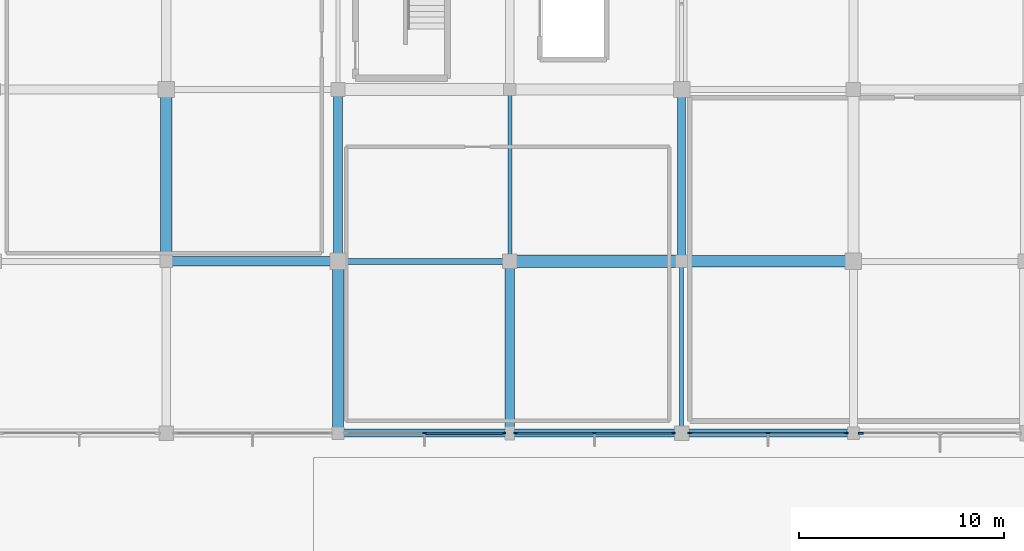
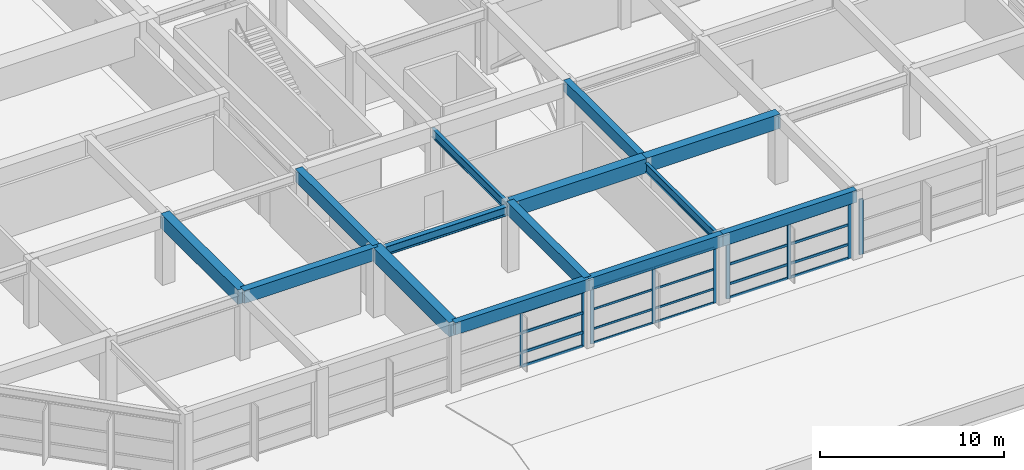
# One storey, part 9 of 60: 29 members, 14 beams, 4 elements without a shape of their own.
"""IFC4 building model written with IfcOpenShell, lengths in metres."""

from ifc_helpers import new_model, si_unit, direction, frame, origin, origin_2d, place, context, subcontext, project, spatial, rectangle, i_section, extrude, material, material_profile, profile_set, type_object, element, aggregate, save


model = new_model("IFC4")

# Units and contexts
model_context = context("Model", 3, precision=1e-05, world=origin(), true_north=direction((0.0, 1.0)))
body_context = subcontext(model_context, "Body", "Model", "MODEL_VIEW")
ifc_project = project(units=[si_unit("LENGTHUNIT", "METRE"), si_unit("AREAUNIT", "SQUARE_METRE"), si_unit("VOLUMEUNIT", "CUBIC_METRE"), si_unit("PLANEANGLEUNIT", "RADIAN"), si_unit("MASSUNIT", "GRAM", prefix="KILO")], contexts=[model_context])

# Site, building, storey
site_placement = place(None, origin())
site = spatial("IfcSite", under=ifc_project, at=site_placement, CompositionType="ELEMENT")
building_placement = place(site_placement, origin())
building = spatial("IfcBuilding", under=site, at=building_placement, Name="Xuanlan Plaza Opera House", CompositionType="ELEMENT")
storey_placement = place(building_placement, frame((0.0, 0.0, 9.89990234375)))
storey = spatial("IfcBuildingStorey", under=building, at=storey_placement, Name="L02", CompositionType="ELEMENT", Elevation=9.89990234375)

# Curtain wall, members
ifc_material_1 = material(Name="Anodised Aluminium 6063-T6 and Low-E Glass", Category="aluminium")
curtain_wall_type_1 = type_object("IfcCurtainWallType", Name="ENV-CW-CW-03", PredefinedType="USERDEFINED", material=ifc_material_1)
curtain_wall_1_placement = place(storey_placement, origin())
curtain_wall_1 = element("IfcCurtainWall", 1, at=curtain_wall_1_placement, inside=storey, type_object=curtain_wall_type_1, Name="Unitised Curtain Wall L02-003", ObjectType="UNITISED CURTAIN WALL", PredefinedType="USERDEFINED")
ifc_material_2 = material(Name="Anodised Aluminium 6063-T6", Category="aluminium")
ifc_material_profile_1 = material_profile(ifc_material_2, rectangle(XDim=0.070068359375, YDim=0.179931640625, at=origin_2d()), Name="ALU-M 70x180")
ifc_profile_set_1 = profile_set([ifc_material_profile_1], Name="Anodised Aluminium 6063-T6")
member_type_1 = type_object("IfcMemberType", Name="ENV-CWM-02", PredefinedType="MULLION", material=ifc_profile_set_1)
member_1_placement = place(storey_placement, frame((29.4375, 16.800048828125, 0.0), z_axis=(0.0, 0.0, 1.0), x_axis=(0.0, 1.0, 0.0)))
member_1 = element("IfcMember", 2, at=member_1_placement, type_object=member_type_1, Name="CW-03 mullion 2", PredefinedType="MULLION", context=body_context, shape_type="SweptSolid", body=[
    extrude(rectangle(XDim=0.070068359375, YDim=0.179931640625, at=origin_2d()), origin(), (0.0, 0.0, 1.0), 3.68017578125),
])
member_2_placement = place(storey_placement, frame((33.320068359375, 16.800048828125, 0.0), z_axis=(0.0, 0.0, 1.0), x_axis=(0.0, 1.0, 0.0)))
member_2 = element("IfcMember", 3, at=member_2_placement, type_object=member_type_1, Name="CW-03 mullion 3", PredefinedType="MULLION", context=body_context, shape_type="SweptSolid", body=[
    extrude(rectangle(XDim=0.070068359375, YDim=0.179931640625, at=origin_2d()), origin(), (0.0, 0.0, 1.0), 3.68017578125),
])

curtain_wall_type_2 = type_object("IfcCurtainWallType", Name="ENV-CW-CW-04", PredefinedType="USERDEFINED", material=ifc_material_1)
curtain_wall_2_placement = place(storey_placement, origin())
curtain_wall_2 = element("IfcCurtainWall", 4, at=curtain_wall_2_placement, inside=storey, type_object=curtain_wall_type_2, Name="Unitised Curtain Wall L02-004", ObjectType="UNITISED CURTAIN WALL", PredefinedType="USERDEFINED")
ifc_material_profile_2 = material_profile(ifc_material_2, rectangle(XDim=0.074951171875, YDim=0.199951171875, at=origin_2d()), Name="ALU-M 75x200")
ifc_profile_set_2 = profile_set([ifc_material_profile_2], Name="Anodised Aluminium 6063-T6")
member_type_2 = type_object("IfcMemberType", Name="ENV-CWM-03", PredefinedType="MULLION", material=ifc_profile_set_2)
member_3_placement = place(storey_placement, frame((33.882568359375, 16.800048828125, 0.0), z_axis=(0.0, 0.0, 1.0), x_axis=(0.0, 1.0, 0.0)))
member_3 = element("IfcMember", 5, at=member_3_placement, type_object=member_type_2, Name="CW-04 mullion 1", PredefinedType="MULLION", context=body_context, shape_type="SweptSolid", body=[
    extrude(rectangle(XDim=0.074951171875, YDim=0.199951171875, at=origin_2d()), origin(), (0.0, 0.0, 1.0), 3.68017578125),
])
member_4_placement = place(storey_placement, frame((37.737548828125, 16.800048828125, 0.0), z_axis=(0.0, 0.0, 1.0), x_axis=(0.0, 1.0, 0.0)))
member_4 = element("IfcMember", 6, at=member_4_placement, type_object=member_type_2, Name="CW-04 mullion 2", PredefinedType="MULLION", context=body_context, shape_type="SweptSolid", body=[
    extrude(rectangle(XDim=0.074951171875, YDim=0.199951171875, at=origin_2d()), origin(), (0.0, 0.0, 1.0), 3.68017578125),
])
member_5_placement = place(storey_placement, frame((41.592529296875, 16.800048828125, 0.0), z_axis=(0.0, 0.0, 1.0), x_axis=(0.0, 1.0, 0.0)))
member_5 = element("IfcMember", 7, at=member_5_placement, type_object=member_type_2, Name="CW-04 mullion 3", PredefinedType="MULLION", context=body_context, shape_type="SweptSolid", body=[
    extrude(rectangle(XDim=0.074951171875, YDim=0.199951171875, at=origin_2d()), origin(), (0.0, 0.0, 1.0), 3.68017578125),
])

curtain_wall_type_3 = type_object("IfcCurtainWallType", Name="ENV-CW-CW-01", PredefinedType="USERDEFINED", material=ifc_material_1)
curtain_wall_3_placement = place(storey_placement, origin())
curtain_wall_3 = element("IfcCurtainWall", 8, at=curtain_wall_3_placement, inside=storey, type_object=curtain_wall_type_3, Name="Unitised Curtain Wall L02-005", ObjectType="UNITISED CURTAIN WALL", PredefinedType="USERDEFINED")
ifc_material_profile_3 = material_profile(ifc_material_2, rectangle(XDim=0.080078125, YDim=0.219970703125, at=origin_2d()), Name="ALU-M 80x220")
ifc_profile_set_3 = profile_set([ifc_material_profile_3], Name="Anodised Aluminium 6063-T6")
member_type_3 = type_object("IfcMemberType", Name="ENV-CWM-04", PredefinedType="MULLION", material=ifc_profile_set_3)
member_6_placement = place(storey_placement, frame((42.409912109375, 16.800048828125, 0.0), z_axis=(0.0, 0.0, 1.0), x_axis=(0.0, 1.0, 0.0)))
member_6 = element("IfcMember", 9, at=member_6_placement, type_object=member_type_3, Name="CW-01 mullion 1", PredefinedType="MULLION", context=body_context, shape_type="SweptSolid", body=[
    extrude(rectangle(XDim=0.080078125, YDim=0.219970703125, at=origin_2d()), origin(), (0.0, 0.0, 1.0), 3.68017578125),
])
member_7_placement = place(storey_placement, frame((46.22509765625, 16.800048828125, 0.0), z_axis=(0.0, 0.0, 1.0), x_axis=(0.0, 1.0, 0.0)))
member_7 = element("IfcMember", 10, at=member_7_placement, type_object=member_type_3, Name="CW-01 mullion 2", PredefinedType="MULLION", context=body_context, shape_type="SweptSolid", body=[
    extrude(rectangle(XDim=0.080078125, YDim=0.219970703125, at=origin_2d()), origin(), (0.0, 0.0, 1.0), 3.68017578125),
])
member_8_placement = place(storey_placement, frame((50.0400390625, 16.800048828125, 0.0), z_axis=(0.0, 0.0, 1.0), x_axis=(0.0, 1.0, 0.0)))
member_8 = element("IfcMember", 11, at=member_8_placement, type_object=member_type_3, Name="CW-01 mullion 3", PredefinedType="MULLION", context=body_context, shape_type="SweptSolid", body=[
    extrude(rectangle(XDim=0.080078125, YDim=0.219970703125, at=origin_2d()), origin(), (0.0, 0.0, 1.0), 3.68017578125),
])

# Curtain wall, member
curtain_wall_type_4 = type_object("IfcCurtainWallType", Name="ENV-CW-CW-02", PredefinedType="USERDEFINED", material=ifc_material_1)
curtain_wall_4_placement = place(storey_placement, origin())
curtain_wall_4 = element("IfcCurtainWall", 12, at=curtain_wall_4_placement, inside=storey, type_object=curtain_wall_type_4, Name="Unitised Curtain Wall L02-006", ObjectType="UNITISED CURTAIN WALL", PredefinedType="USERDEFINED")
ifc_material_profile_4 = material_profile(ifc_material_2, rectangle(XDim=0.090087890625, YDim=0.25, at=origin_2d()), Name="ALU-M 90x250")
ifc_profile_set_4 = profile_set([ifc_material_profile_4], Name="Anodised Aluminium 6063-T6")
member_type_4 = type_object("IfcMemberType", Name="ENV-CWM-05", PredefinedType="MULLION", material=ifc_profile_set_4)
member_9_placement = place(storey_placement, frame((50.764892578125, 16.800048828125, 0.0), z_axis=(0.0, 0.0, 1.0), x_axis=(0.0, 1.0, 0.0)))
member_9 = element("IfcMember", 13, at=member_9_placement, type_object=member_type_4, Name="CW-02 mullion 1", PredefinedType="MULLION", context=body_context, shape_type="SweptSolid", body=[
    extrude(rectangle(XDim=0.090087890625, YDim=0.25, at=origin_2d()), origin(), (0.0, 0.0, 1.0), 3.68017578125),
])
aggregate(curtain_wall_4, [member_9])

# Member
ifc_material_profile_5 = material_profile(ifc_material_2, rectangle(XDim=0.070068359375, YDim=0.135009765625, at=origin_2d()), Name="ALU-T 70x135")
ifc_profile_set_5 = profile_set([ifc_material_profile_5], Name="Anodised Aluminium 6063-T6")
member_type_5 = type_object("IfcMemberType", Name="ENV-CWT-02", PredefinedType="USERDEFINED", material=ifc_profile_set_5)
member_10_placement = place(storey_placement, frame((33.919921875, 16.800048828125, 0.03515625), z_axis=(1.0, 0.0, 0.0), x_axis=(0.0, 1.0, 0.0)))
member_10 = element("IfcMember", 14, at=member_10_placement, type_object=member_type_5, Name="CW-04 transom 1.1", ObjectType="TRANSOM", PredefinedType="USERDEFINED", context=body_context, shape_type="SweptSolid", body=[
    extrude(rectangle(XDim=0.070068359375, YDim=0.135009765625, at=origin_2d()), origin(), (0.0, 0.0, 1.0), 3.780029296875),
])

member_11_placement = place(storey_placement, frame((33.919921875, 16.800048828125, 0.9501953125), z_axis=(1.0, 0.0, 0.0), x_axis=(0.0, 1.0, 0.0)))
member_11 = element("IfcMember", 15, at=member_11_placement, type_object=member_type_5, Name="CW-04 transom 1.2", ObjectType="TRANSOM", PredefinedType="USERDEFINED", context=body_context, shape_type="SweptSolid", body=[
    extrude(rectangle(XDim=0.070068359375, YDim=0.135009765625, at=origin_2d()), origin(), (0.0, 0.0, 1.0), 3.780029296875),
])

member_12_placement = place(storey_placement, frame((33.919921875, 16.800048828125, 2.25), z_axis=(1.0, 0.0, 0.0), x_axis=(0.0, 1.0, 0.0)))
member_12 = element("IfcMember", 16, at=member_12_placement, type_object=member_type_5, Name="CW-04 transom 1.3", ObjectType="TRANSOM", PredefinedType="USERDEFINED", context=body_context, shape_type="SweptSolid", body=[
    extrude(rectangle(XDim=0.070068359375, YDim=0.135009765625, at=origin_2d()), origin(), (0.0, 0.0, 1.0), 3.780029296875),
])

member_13_placement = place(storey_placement, frame((33.919921875, 16.800048828125, 3.64501953125), z_axis=(1.0, 0.0, 0.0), x_axis=(0.0, 1.0, 0.0)))
member_13 = element("IfcMember", 17, at=member_13_placement, type_object=member_type_5, Name="CW-04 transom 1.4", ObjectType="TRANSOM", PredefinedType="USERDEFINED", context=body_context, shape_type="SweptSolid", body=[
    extrude(rectangle(XDim=0.070068359375, YDim=0.135009765625, at=origin_2d()), origin(), (0.0, 0.0, 1.0), 3.780029296875),
])

member_14_placement = place(storey_placement, frame((37.77490234375, 16.800048828125, 0.03515625), z_axis=(1.0, 0.0, 0.0), x_axis=(0.0, 1.0, 0.0)))
member_14 = element("IfcMember", 18, at=member_14_placement, type_object=member_type_5, Name="CW-04 transom 2.1", ObjectType="TRANSOM", PredefinedType="USERDEFINED", context=body_context, shape_type="SweptSolid", body=[
    extrude(rectangle(XDim=0.070068359375, YDim=0.135009765625, at=origin_2d()), origin(), (0.0, 0.0, 1.0), 3.780029296875),
])

member_15_placement = place(storey_placement, frame((37.77490234375, 16.800048828125, 0.9501953125), z_axis=(1.0, 0.0, 0.0), x_axis=(0.0, 1.0, 0.0)))
member_15 = element("IfcMember", 19, at=member_15_placement, type_object=member_type_5, Name="CW-04 transom 2.2", ObjectType="TRANSOM", PredefinedType="USERDEFINED", context=body_context, shape_type="SweptSolid", body=[
    extrude(rectangle(XDim=0.070068359375, YDim=0.135009765625, at=origin_2d()), origin(), (0.0, 0.0, 1.0), 3.780029296875),
])

member_16_placement = place(storey_placement, frame((37.77490234375, 16.800048828125, 2.25), z_axis=(1.0, 0.0, 0.0), x_axis=(0.0, 1.0, 0.0)))
member_16 = element("IfcMember", 20, at=member_16_placement, type_object=member_type_5, Name="CW-04 transom 2.3", ObjectType="TRANSOM", PredefinedType="USERDEFINED", context=body_context, shape_type="SweptSolid", body=[
    extrude(rectangle(XDim=0.070068359375, YDim=0.135009765625, at=origin_2d()), origin(), (0.0, 0.0, 1.0), 3.780029296875),
])

member_17_placement = place(storey_placement, frame((37.77490234375, 16.800048828125, 3.64501953125), z_axis=(1.0, 0.0, 0.0), x_axis=(0.0, 1.0, 0.0)))
member_17 = element("IfcMember", 21, at=member_17_placement, type_object=member_type_5, Name="CW-04 transom 2.4", ObjectType="TRANSOM", PredefinedType="USERDEFINED", context=body_context, shape_type="SweptSolid", body=[
    extrude(rectangle(XDim=0.070068359375, YDim=0.135009765625, at=origin_2d()), origin(), (0.0, 0.0, 1.0), 3.780029296875),
])

aggregate(curtain_wall_2, [member_3, member_4, member_5, member_10, member_11, member_12, member_13, member_14, member_15, member_16, member_17])

ifc_material_profile_6 = material_profile(ifc_material_2, rectangle(XDim=0.080078125, YDim=0.1650390625, at=origin_2d()), Name="ALU-T 80x165")
ifc_profile_set_6 = profile_set([ifc_material_profile_6], Name="Anodised Aluminium 6063-T6")
member_type_6 = type_object("IfcMemberType", Name="ENV-CWT-04", PredefinedType="USERDEFINED", material=ifc_profile_set_6)
member_18_placement = place(storey_placement, frame((42.449951171875, 16.800048828125, 0.0400390625), z_axis=(1.0, 0.0, 0.0), x_axis=(0.0, 1.0, 0.0)))
member_18 = element("IfcMember", 22, at=member_18_placement, type_object=member_type_6, Name="CW-01 transom 1.1", ObjectType="TRANSOM", PredefinedType="USERDEFINED", context=body_context, shape_type="SweptSolid", body=[
    extrude(rectangle(XDim=0.080078125, YDim=0.1650390625, at=origin_2d()), origin(), (0.0, 0.0, 1.0), 3.735107421875),
])

member_19_placement = place(storey_placement, frame((42.449951171875, 16.800048828125, 0.9501953125), z_axis=(1.0, 0.0, 0.0), x_axis=(0.0, 1.0, 0.0)))
member_19 = element("IfcMember", 23, at=member_19_placement, type_object=member_type_6, Name="CW-01 transom 1.2", ObjectType="TRANSOM", PredefinedType="USERDEFINED", context=body_context, shape_type="SweptSolid", body=[
    extrude(rectangle(XDim=0.080078125, YDim=0.1650390625, at=origin_2d()), origin(), (0.0, 0.0, 1.0), 3.735107421875),
])

member_20_placement = place(storey_placement, frame((42.449951171875, 16.800048828125, 2.25), z_axis=(1.0, 0.0, 0.0), x_axis=(0.0, 1.0, 0.0)))
member_20 = element("IfcMember", 24, at=member_20_placement, type_object=member_type_6, Name="CW-01 transom 1.3", ObjectType="TRANSOM", PredefinedType="USERDEFINED", context=body_context, shape_type="SweptSolid", body=[
    extrude(rectangle(XDim=0.080078125, YDim=0.1650390625, at=origin_2d()), origin(), (0.0, 0.0, 1.0), 3.735107421875),
])

member_21_placement = place(storey_placement, frame((42.449951171875, 16.800048828125, 3.64013671875), z_axis=(1.0, 0.0, 0.0), x_axis=(0.0, 1.0, 0.0)))
member_21 = element("IfcMember", 25, at=member_21_placement, type_object=member_type_6, Name="CW-01 transom 1.4", ObjectType="TRANSOM", PredefinedType="USERDEFINED", context=body_context, shape_type="SweptSolid", body=[
    extrude(rectangle(XDim=0.080078125, YDim=0.1650390625, at=origin_2d()), origin(), (0.0, 0.0, 1.0), 3.735107421875),
])

member_22_placement = place(storey_placement, frame((46.264892578125, 16.800048828125, 0.0400390625), z_axis=(1.0, 0.0, 0.0), x_axis=(0.0, 1.0, 0.0)))
member_22 = element("IfcMember", 26, at=member_22_placement, type_object=member_type_6, Name="CW-01 transom 2.1", ObjectType="TRANSOM", PredefinedType="USERDEFINED", context=body_context, shape_type="SweptSolid", body=[
    extrude(rectangle(XDim=0.080078125, YDim=0.1650390625, at=origin_2d()), origin(), (0.0, 0.0, 1.0), 3.735107421875),
])

member_23_placement = place(storey_placement, frame((46.264892578125, 16.800048828125, 0.9501953125), z_axis=(1.0, 0.0, 0.0), x_axis=(0.0, 1.0, 0.0)))
member_23 = element("IfcMember", 27, at=member_23_placement, type_object=member_type_6, Name="CW-01 transom 2.2", ObjectType="TRANSOM", PredefinedType="USERDEFINED", context=body_context, shape_type="SweptSolid", body=[
    extrude(rectangle(XDim=0.080078125, YDim=0.1650390625, at=origin_2d()), origin(), (0.0, 0.0, 1.0), 3.735107421875),
])

member_24_placement = place(storey_placement, frame((46.264892578125, 16.800048828125, 2.25), z_axis=(1.0, 0.0, 0.0), x_axis=(0.0, 1.0, 0.0)))
member_24 = element("IfcMember", 28, at=member_24_placement, type_object=member_type_6, Name="CW-01 transom 2.3", ObjectType="TRANSOM", PredefinedType="USERDEFINED", context=body_context, shape_type="SweptSolid", body=[
    extrude(rectangle(XDim=0.080078125, YDim=0.1650390625, at=origin_2d()), origin(), (0.0, 0.0, 1.0), 3.735107421875),
])

member_25_placement = place(storey_placement, frame((46.264892578125, 16.800048828125, 3.64013671875), z_axis=(1.0, 0.0, 0.0), x_axis=(0.0, 1.0, 0.0)))
member_25 = element("IfcMember", 29, at=member_25_placement, type_object=member_type_6, Name="CW-01 transom 2.4", ObjectType="TRANSOM", PredefinedType="USERDEFINED", context=body_context, shape_type="SweptSolid", body=[
    extrude(rectangle(XDim=0.080078125, YDim=0.1650390625, at=origin_2d()), origin(), (0.0, 0.0, 1.0), 3.735107421875),
])

aggregate(curtain_wall_3, [member_6, member_7, member_8, member_18, member_19, member_20, member_21, member_22, member_23, member_24, member_25])

ifc_material_profile_7 = material_profile(ifc_material_2, rectangle(XDim=0.090087890625, YDim=0.179931640625, at=origin_2d()), Name="ALU-T 90x180")
ifc_profile_set_7 = profile_set([ifc_material_profile_7], Name="Anodised Aluminium 6063-T6")
member_type_7 = type_object("IfcMemberType", Name="ENV-CWT-05", PredefinedType="USERDEFINED", material=ifc_profile_set_7)
member_26_placement = place(storey_placement, frame((29.472412109375, 16.800048828125, 0.045166015625), z_axis=(1.0, 0.0, 0.0), x_axis=(0.0, 1.0, 0.0)))
member_26 = element("IfcMember", 30, at=member_26_placement, type_object=member_type_7, Name="CW-03 transom 2.1", ObjectType="TRANSOM", PredefinedType="USERDEFINED", context=body_context, shape_type="SweptSolid", body=[
    extrude(rectangle(XDim=0.090087890625, YDim=0.179931640625, at=origin_2d()), origin(), (0.0, 0.0, 1.0), 3.8125),
])

member_27_placement = place(storey_placement, frame((29.472412109375, 16.800048828125, 0.9501953125), z_axis=(1.0, 0.0, 0.0), x_axis=(0.0, 1.0, 0.0)))
member_27 = element("IfcMember", 31, at=member_27_placement, type_object=member_type_7, Name="CW-03 transom 2.2", ObjectType="TRANSOM", PredefinedType="USERDEFINED", context=body_context, shape_type="SweptSolid", body=[
    extrude(rectangle(XDim=0.090087890625, YDim=0.179931640625, at=origin_2d()), origin(), (0.0, 0.0, 1.0), 3.8125),
])

member_28_placement = place(storey_placement, frame((29.472412109375, 16.800048828125, 2.25), z_axis=(1.0, 0.0, 0.0), x_axis=(0.0, 1.0, 0.0)))
member_28 = element("IfcMember", 32, at=member_28_placement, type_object=member_type_7, Name="CW-03 transom 2.3", ObjectType="TRANSOM", PredefinedType="USERDEFINED", context=body_context, shape_type="SweptSolid", body=[
    extrude(rectangle(XDim=0.090087890625, YDim=0.179931640625, at=origin_2d()), origin(), (0.0, 0.0, 1.0), 3.8125),
])

member_29_placement = place(storey_placement, frame((29.472412109375, 16.800048828125, 3.635009765625), z_axis=(1.0, 0.0, 0.0), x_axis=(0.0, 1.0, 0.0)))
member_29 = element("IfcMember", 33, at=member_29_placement, type_object=member_type_7, Name="CW-03 transom 2.4", ObjectType="TRANSOM", PredefinedType="USERDEFINED", context=body_context, shape_type="SweptSolid", body=[
    extrude(rectangle(XDim=0.090087890625, YDim=0.179931640625, at=origin_2d()), origin(), (0.0, 0.0, 1.0), 3.8125),
])

aggregate(curtain_wall_1, [member_1, member_2, member_26, member_27, member_28, member_29])

# Beams
ifc_material_3 = material(Name="Concrete C50", Category="concrete")
ifc_material_profile_8 = material_profile(ifc_material_3, rectangle(XDim=0.60009765625, YDim=0.949951171875, at=origin_2d()), Name="RC-BM 600x950")
ifc_profile_set_8 = profile_set([ifc_material_profile_8], Name="Concrete C50")
beam_type_1 = type_object("IfcBeamType", Name="STR-BM-B-01", PredefinedType="BEAM", material=ifc_profile_set_8)
beam_1_placement = place(storey_placement, frame((33.60009765625, 25.199951171875, 4.025146484375), z_axis=(1.0, 0.0, 0.0), x_axis=(0.0, 1.0, 0.0)))
element("IfcBeam", 34, at=beam_1_placement, inside=storey, type_object=beam_type_1, Name="Grid Beam X L02 5-6/D", PredefinedType="BEAM", context=body_context, shape_type="SweptSolid", body=[
    extrude(rectangle(XDim=0.60009765625, YDim=0.949951171875, at=origin_2d()), origin(), (0.0, 0.0, 1.0), 8.39990234375),
])
ifc_material_profile_9 = material_profile(ifc_material_3, rectangle(XDim=0.550048828125, YDim=0.949951171875, at=origin_2d()), Name="RC-BM 550x950")
ifc_profile_set_9 = profile_set([ifc_material_profile_9], Name="Concrete C50")
beam_type_2 = type_object("IfcBeamType", Name="STR-BM-B-02", PredefinedType="BEAM", material=ifc_profile_set_9)
beam_2_placement = place(storey_placement, frame((42.0, 25.199951171875, 4.025146484375), z_axis=(1.0, 0.0, 0.0), x_axis=(0.0, 1.0, 0.0)))
element("IfcBeam", 35, at=beam_2_placement, inside=storey, type_object=beam_type_2, Name="Grid Beam X L02 6-7/D", PredefinedType="BEAM", context=body_context, shape_type="SweptSolid", body=[
    extrude(rectangle(XDim=0.550048828125, YDim=0.949951171875, at=origin_2d()), origin(), (0.0, 0.0, 1.0), 8.39990234375),
])
beam_3_placement = place(storey_placement, frame((16.800048828125, 25.199951171875, 4.025146484375), z_axis=(0.0, 1.0, 0.0), x_axis=(-1.0, 0.0, 0.0)))
element("IfcBeam", 36, at=beam_3_placement, inside=storey, type_object=beam_type_2, Name="Grid Beam Y L02 3/D-E", PredefinedType="BEAM", context=body_context, shape_type="SweptSolid", body=[
    extrude(rectangle(XDim=0.550048828125, YDim=0.949951171875, at=origin_2d()), origin(), (0.0, 0.0, 1.0), 8.400146484375),
])
beam_4_placement = place(storey_placement, frame((25.199951171875, 16.800048828125, 4.025146484375), z_axis=(0.0, 1.0, 0.0), x_axis=(-1.0, 0.0, 0.0)))
element("IfcBeam", 37, at=beam_4_placement, inside=storey, type_object=beam_type_2, Name="Grid Beam Y L02 4/C-D", PredefinedType="BEAM", context=body_context, shape_type="SweptSolid", body=[
    extrude(rectangle(XDim=0.550048828125, YDim=0.949951171875, at=origin_2d()), origin(), (0.0, 0.0, 1.0), 8.39990234375),
])
ifc_material_4 = material(Name="Concrete C40", Category="concrete")
ifc_material_profile_10 = material_profile(ifc_material_4, rectangle(XDim=0.449951171875, YDim=0.85009765625, at=origin_2d()), Name="RC-BM 450x850")
ifc_profile_set_10 = profile_set([ifc_material_profile_10], Name="Concrete C40")
beam_type_3 = type_object("IfcBeamType", Name="STR-BM-B-04", PredefinedType="BEAM", material=ifc_profile_set_10)
beam_5_placement = place(storey_placement, frame((16.800048828125, 25.199951171875, 4.0751953125), z_axis=(1.0, 0.0, 0.0), x_axis=(0.0, 1.0, 0.0)))
element("IfcBeam", 38, at=beam_5_placement, inside=storey, type_object=beam_type_3, Name="Grid Beam X L02 3-4/D", PredefinedType="BEAM", context=body_context, shape_type="SweptSolid", body=[
    extrude(rectangle(XDim=0.449951171875, YDim=0.85009765625, at=origin_2d()), origin(), (0.0, 0.0, 1.0), 8.39990234375),
])
beam_6_placement = place(storey_placement, frame((25.199951171875, 25.199951171875, 4.0751953125), z_axis=(0.0, 1.0, 0.0), x_axis=(-1.0, 0.0, 0.0)))
element("IfcBeam", 39, at=beam_6_placement, inside=storey, type_object=beam_type_3, Name="Grid Beam Y L02 4/D-E", PredefinedType="BEAM", context=body_context, shape_type="SweptSolid", body=[
    extrude(rectangle(XDim=0.449951171875, YDim=0.85009765625, at=origin_2d()), origin(), (0.0, 0.0, 1.0), 8.400146484375),
])
beam_7_placement = place(storey_placement, frame((33.60009765625, 16.800048828125, 4.0751953125), z_axis=(0.0, 1.0, 0.0), x_axis=(-1.0, 0.0, 0.0)))
element("IfcBeam", 40, at=beam_7_placement, inside=storey, type_object=beam_type_3, Name="Grid Beam Y L02 5/C-D", PredefinedType="BEAM", context=body_context, shape_type="SweptSolid", body=[
    extrude(rectangle(XDim=0.449951171875, YDim=0.85009765625, at=origin_2d()), origin(), (0.0, 0.0, 1.0), 8.39990234375),
])
ifc_material_profile_11 = material_profile(ifc_material_4, rectangle(XDim=0.39990234375, YDim=0.75, at=origin_2d()), Name="RC-BM 400x750")
ifc_profile_set_11 = profile_set([ifc_material_profile_11], Name="Concrete C40")
beam_type_4 = type_object("IfcBeamType", Name="STR-BM-B-06", PredefinedType="BEAM", material=ifc_profile_set_11)
beam_8_placement = place(storey_placement, frame((42.0, 25.199951171875, 4.125), z_axis=(0.0, 1.0, 0.0), x_axis=(-1.0, 0.0, 0.0)))
element("IfcBeam", 41, at=beam_8_placement, inside=storey, type_object=beam_type_4, Name="Grid Beam Y L02 6/D-E", PredefinedType="BEAM", context=body_context, shape_type="SweptSolid", body=[
    extrude(rectangle(XDim=0.39990234375, YDim=0.75, at=origin_2d()), origin(), (0.0, 0.0, 1.0), 8.400146484375),
])
ifc_material_5 = material(Name="Steel Q355B", Category="steel")
ifc_material_profile_12 = material_profile(ifc_material_5, i_section(OverallWidth=0.199951171875, OverallDepth=0.60009765625, WebThickness=0.010986328125, FlangeThickness=0.01708984375, FilletRadius=0.02197265625, at=origin_2d()), Name="HN 600x200x11x17")
ifc_profile_set_12 = profile_set([ifc_material_profile_12], Name="Steel Q355B")
beam_type_5 = type_object("IfcBeamType", Name="STR-BM-SB-04", PredefinedType="BEAM", material=ifc_profile_set_12)
beam_9_placement = place(storey_placement, frame((33.60009765625, 25.199951171875, 3.93505859375), z_axis=(0.0, 1.0, 0.0), x_axis=(-1.0, 0.0, 0.0)))
element("IfcBeam", 42, at=beam_9_placement, inside=storey, type_object=beam_type_5, Name="Grid Beam Y L02 5/D-E", PredefinedType="BEAM", context=body_context, shape_type="SweptSolid", body=[
    extrude(i_section(OverallWidth=0.199951171875, OverallDepth=0.60009765625, WebThickness=0.010986328125, FlangeThickness=0.01708984375, FilletRadius=0.02197265625, at=origin_2d()), origin(), (0.0, 0.0, 1.0), 8.400146484375),
])
beam_10_placement = place(storey_placement, frame((42.0, 16.800048828125, 3.93505859375), z_axis=(0.0, 1.0, 0.0), x_axis=(-1.0, 0.0, 0.0)))
element("IfcBeam", 43, at=beam_10_placement, inside=storey, type_object=beam_type_5, Name="Grid Beam Y L02 6/C-D", PredefinedType="BEAM", context=body_context, shape_type="SweptSolid", body=[
    extrude(i_section(OverallWidth=0.199951171875, OverallDepth=0.60009765625, WebThickness=0.010986328125, FlangeThickness=0.01708984375, FilletRadius=0.02197265625, at=origin_2d()), origin(), (0.0, 0.0, 1.0), 8.39990234375),
])
ifc_material_profile_13 = material_profile(ifc_material_5, i_section(OverallWidth=0.300048828125, OverallDepth=0.587890625, WebThickness=0.011962890625, FlangeThickness=0.02001953125, FilletRadius=0.02392578125, at=origin_2d()), Name="HM 588x300x12x20")
ifc_profile_set_13 = profile_set([ifc_material_profile_13], Name="Steel Q355B")
beam_type_6 = type_object("IfcBeamType", Name="STR-BM-SB-06", PredefinedType="BEAM", material=ifc_profile_set_13)
beam_11_placement = place(storey_placement, frame((25.199951171875, 25.199951171875, 3.941162109375), z_axis=(1.0, 0.0, 0.0), x_axis=(0.0, 1.0, 0.0)))
element("IfcBeam", 44, at=beam_11_placement, inside=storey, type_object=beam_type_6, Name="Grid Beam X L02 4-5/D", PredefinedType="BEAM", context=body_context, shape_type="SweptSolid", body=[
    extrude(i_section(OverallWidth=0.300048828125, OverallDepth=0.587890625, WebThickness=0.011962890625, FlangeThickness=0.02001953125, FilletRadius=0.02392578125, at=origin_2d()), origin(), (0.0, 0.0, 1.0), 8.400146484375),
])
ifc_material_profile_14 = material_profile(ifc_material_4, rectangle(XDim=0.39990234375, YDim=0.800048828125, at=origin_2d()), Name="RC-SPD 400x800")
ifc_profile_set_14 = profile_set([ifc_material_profile_14], Name="Concrete C40")
beam_type_7 = type_object("IfcBeamType", Name="STR-BM-SP-01", PredefinedType="SPANDREL", material=ifc_profile_set_14)
beam_12_placement = place(storey_placement, frame((25.199951171875, 16.800048828125, 4.10009765625), z_axis=(1.0, 0.0, 0.0), x_axis=(0.0, 1.0, 0.0)))
element("IfcBeam", 45, at=beam_12_placement, inside=storey, type_object=beam_type_7, Name="Grid Beam X L02 4-5/C", PredefinedType="SPANDREL", context=body_context, shape_type="SweptSolid", body=[
    extrude(rectangle(XDim=0.39990234375, YDim=0.800048828125, at=origin_2d()), origin(), (0.0, 0.0, 1.0), 8.400146484375),
])
for number, where, z_axis, x_axis, name in (
    (46, (33.60009765625, 16.800048828125, 4.10009765625), (1.0, 0.0, 0.0), (0.0, 1.0, 0.0), "Grid Beam X L02 5-6/C"),
    (47, (42.0, 16.800048828125, 4.10009765625), (1.0, 0.0, 0.0), (0.0, 1.0, 0.0), "Grid Beam X L02 6-7/C"),
):
    element("IfcBeam", number, at=place(storey_placement, frame(where, z_axis=z_axis, x_axis=x_axis)), inside=storey, type_object=beam_type_7, Name=name, PredefinedType="SPANDREL", context=body_context, shape_type="SweptSolid", body=[
        extrude(rectangle(XDim=0.39990234375, YDim=0.800048828125, at=origin_2d()), origin(), (0.0, 0.0, 1.0), 8.39990234375),
    ])

save(model, "model.ifc")
